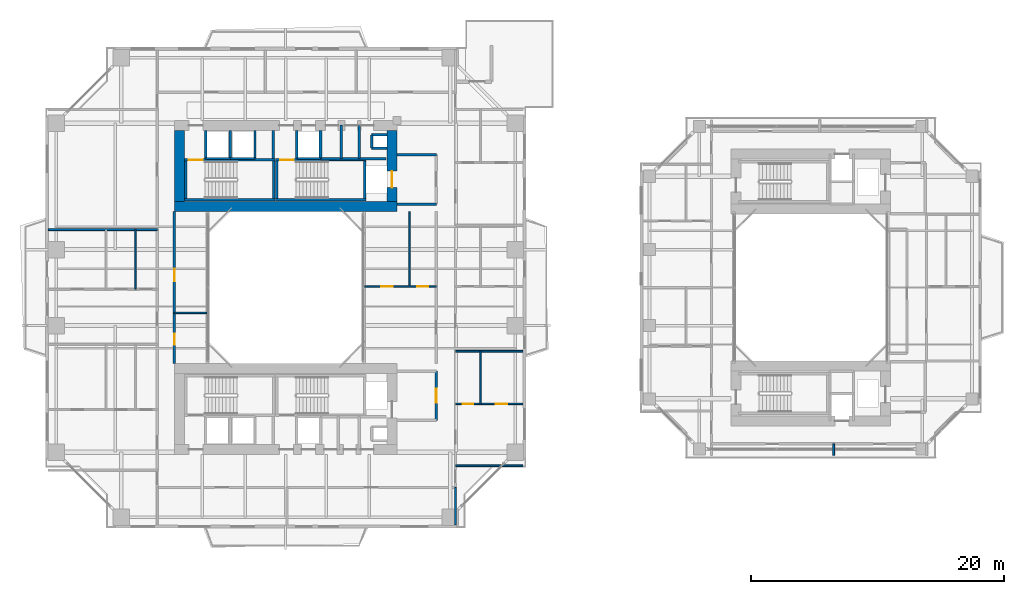
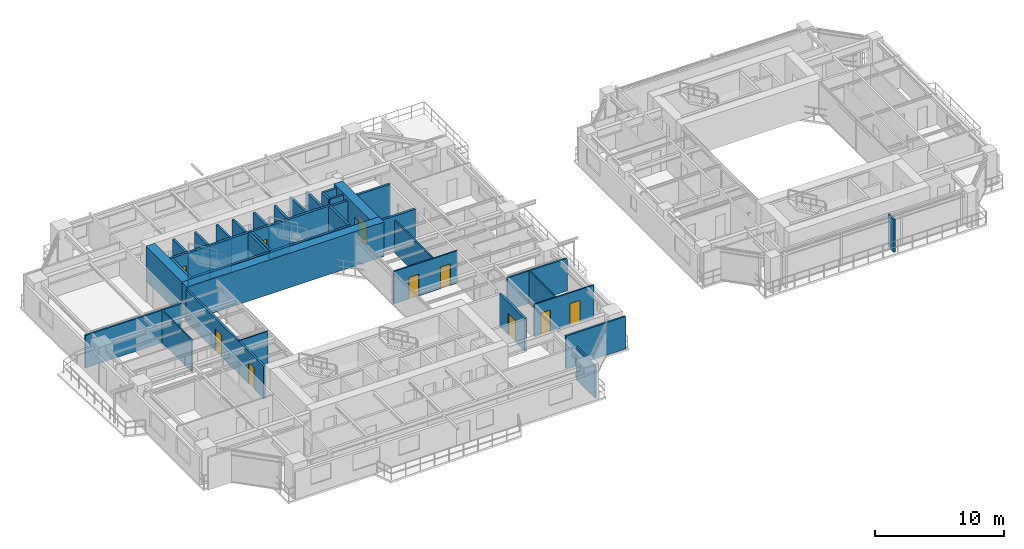
# One storey, part 14 of 23: 41 walls, 10 doors, 10 openings.
"""IFC4 building model written with IfcOpenShell, lengths in metres."""

from ifc_helpers import new_model, si_unit, direction, frame, frame_2d, origin, place, context, subcontext, project, spatial, rectangle, extrude, source, transform, mapped, material, layer, layer_set, type_object, element, fill, save


model = new_model("IFC4")

# Units and contexts
model_context = context("Model", 3, precision=1e-05, world=origin(), true_north=direction((0.0, 1.0)))
body_context = subcontext(model_context, "Body", "Model", "MODEL_VIEW")
ifc_project = project(units=[si_unit("LENGTHUNIT", "METRE"), si_unit("AREAUNIT", "SQUARE_METRE"), si_unit("VOLUMEUNIT", "CUBIC_METRE"), si_unit("PLANEANGLEUNIT", "RADIAN"), si_unit("MASSUNIT", "GRAM", prefix="KILO"), si_unit("THERMODYNAMICTEMPERATUREUNIT", "KELVIN"), si_unit("POWERUNIT", "WATT")], contexts=[model_context])

# Site, building, storey
site_placement = place(None, origin())
site = spatial("IfcSite", under=ifc_project, at=site_placement, CompositionType="ELEMENT")
building_placement = place(site_placement, origin())
building = spatial("IfcBuilding", under=site, at=building_placement, Name="Qiaomeng Ring Towers", CompositionType="ELEMENT")
storey_placement = place(building_placement, frame((0.0, 0.0, 32.75)))
storey = spatial("IfcBuildingStorey", under=building, at=storey_placement, Name="L08", CompositionType="ELEMENT", Elevation=32.75)

# Walls
ifc_material_1 = material(Name="Autoclaved aerated concrete block", Category="concrete")
ifc_layer_1 = layer(ifc_material_1, 0.199951171875, Name="Autoclaved aerated concrete block")
ifc_layer_set_1 = layer_set([ifc_layer_1], Name="Autoclaved aerated concrete block")
wall_type_1 = type_object("IfcWallType", Name="ARC-WL-PW1", PredefinedType="PARTITIONING", material=ifc_layer_set_1)
for number, where, z_axis, x_axis, name in (
    (1, (27.800048828125, 29.60009765625, 0.0), (0.0, 0.0, 1.0), (1.0, 0.0, 0.0), "L08 Interior Wall PW1"),
    (2, (27.800048828125, 33.5, 0.0), (0.0, 0.0, 1.0), (1.0, 0.0, 0.0), "L08 Interior Wall PW1"),
):
    element("IfcWall", number, at=place(storey_placement, frame(where, z_axis=z_axis, x_axis=x_axis)), inside=storey, type_object=wall_type_1, Name=name, PredefinedType="PARTITIONING", context=body_context, shape_type="SweptSolid", body=[
        extrude(rectangle(XDim=3.099853515625, YDim=0.199951171875, at=frame_2d((1.5498046875, 0.0))), origin(), (0.0, 0.0, 1.0), 3.070068359375),
    ])

# Wall, opening, door
wall_1_placement = place(storey_placement, frame((30.89990234375, 12.5, 0.0), z_axis=(0.0, 0.0, 1.0), x_axis=(0.0, 1.0, 0.0)))
wall_1 = element("IfcWall", 3, at=wall_1_placement, inside=storey, type_object=wall_type_1, Name="L08 Interior Wall PW1", PredefinedType="PARTITIONING", context=body_context, shape_type="SweptSolid", body=[
    extrude(rectangle(XDim=3.89990234375, YDim=0.199951171875, at=frame_2d((1.949951171875, 0.0))), origin(), (0.0, 0.0, 1.0), 3.070068359375),
])
opening_1_placement = place(wall_1_placement, frame((1.39990234375, 0.0, 0.0)))
opening_1 = element("IfcOpeningElement", 4, at=opening_1_placement, cuts=wall_1, Name="Opening FD3", PredefinedType="OPENING", context=body_context, shape_type="SweptSolid", body=[
    extrude(rectangle(XDim=1.10009765625, YDim=2.050048828125, at=frame_2d((0.550048828125, 1.02490234375))), frame((0.0, 0.10986328125, 0.0), z_axis=(0.0, -1.0, 0.0), x_axis=(1.0, 0.0, 0.0)), (0.0, 0.0, 1.0), 0.219970703125),
])
ifc_material_2 = material(Name="Galvanised steel", Category="steel")
door_type_1 = type_object("IfcDoorType", Name="ARC-DR-FD3", OperationType="NOTDEFINED", PredefinedType="DOOR", material=ifc_material_2)
shared_shape_1 = source(origin(), body_context, "Body", "SweptSolid", [
    extrude(rectangle(XDim=1.10009765625, YDim=2.050048828125, at=frame_2d((0.550048828125, 1.02490234375))), frame((0.0, 0.02490234375, 0.0), z_axis=(0.0, -1.0, 0.0), x_axis=(1.0, 0.0, 0.0)), (0.0, 0.0, 1.0), 0.050048828125),
])
door_1_placement = place(opening_1_placement, origin())
door_1 = element("IfcDoor", 5, at=door_1_placement, inside=storey, type_object=door_type_1, Name="L08 South FF Lobby Door", OperationType="SINGLE_SWING_LEFT", OverallHeight=2.050048828125, OverallWidth=1.10009765625, PredefinedType="DOOR", context=body_context, shape_type="MappedRepresentation", body=[
    mapped(shared_shape_1, transform((0.0, 0.0, 0.0), x_axis=(1.0, 0.0, 0.0), y_axis=(0.0, 1.0, 0.0), z_axis=(0.0, 0.0, 1.0), scale=1.0)),
])
fill(opening_1, door_1)

# Walls
for number, where, z_axis, x_axis, name in (
    (6, (12.679931640625, 33.18994140625, 0.0), (0.0, 0.0, 1.0), (0.0, 1.0, 0.0), "L08 Interior Wall PW1"),
    (7, (18.0, 33.18994140625, 0.0), (0.0, 0.0, 1.0), (0.0, 1.0, 0.0), "L08 Interior Wall PW1"),
    (8, (19.8798828125, 33.18994140625, 0.0), (0.0, 0.0, 1.0), (0.0, 1.0, 0.0), "L08 Interior Wall PW1"),
):
    element("IfcWall", number, at=place(storey_placement, frame(where, z_axis=z_axis, x_axis=x_axis)), inside=storey, type_object=wall_type_1, Name=name, PredefinedType="PARTITIONING", context=body_context, shape_type="SweptSolid", body=[
        extrude(rectangle(XDim=2.2099609375, YDim=0.199951171875, at=frame_2d((1.10498046875, 0.0))), origin(), (0.0, 0.0, 1.0), 3.070068359375),
    ])
wall_2_placement = place(storey_placement, frame((24.820068359375, 33.199951171875, 0.0), z_axis=(0.0, 0.0, 1.0), x_axis=(0.0, 1.0, 0.0)))
element("IfcWall", 9, at=wall_2_placement, inside=storey, type_object=wall_type_1, Name="L08 Interior Wall PW1", PredefinedType="PARTITIONING", context=body_context, shape_type="SweptSolid", body=[
    extrude(rectangle(XDim=2.650146484375, YDim=0.199951171875, at=frame_2d((1.3251953125, 0.0))), origin(), (0.0, 0.0, 1.0), 3.070068359375),
])
wall_3_placement = place(storey_placement, frame((21.75, 33.199951171875, 0.0), z_axis=(0.0, 0.0, 1.0), x_axis=(0.0, 1.0, 0.0)))
element("IfcWall", 10, at=wall_3_placement, inside=storey, type_object=wall_type_1, Name="L08 Interior Wall PW1", PredefinedType="PARTITIONING", context=body_context, shape_type="SweptSolid", body=[
    extrude(rectangle(XDim=2.199951171875, YDim=0.199951171875, at=frame_2d((1.10009765625, 0.0))), origin(), (0.0, 0.0, 1.0), 3.070068359375),
])
wall_4_placement = place(storey_placement, frame((23.39990234375, 33.199951171875, 0.0), z_axis=(0.0, 0.0, 1.0), x_axis=(0.0, 1.0, 0.0)))
element("IfcWall", 11, at=wall_4_placement, inside=storey, type_object=wall_type_1, Name="L08 Interior Wall PW1", PredefinedType="PARTITIONING", context=body_context, shape_type="SweptSolid", body=[
    extrude(rectangle(XDim=2.650146484375, YDim=0.199951171875, at=frame_2d((1.3251953125, 0.0))), origin(), (0.0, 0.0, 1.0), 3.070068359375),
])
wall_5_placement = place(storey_placement, frame((21.75, 33.199951171875, 0.0), z_axis=(0.0, 0.0, 1.0), x_axis=(1.0, 0.0, 0.0)))
element("IfcWall", 12, at=wall_5_placement, inside=storey, type_object=wall_type_1, Name="L08 Interior Wall PW1", PredefinedType="PARTITIONING", context=body_context, shape_type="SweptSolid", body=[
    extrude(rectangle(XDim=5.169921875, YDim=0.199951171875, at=frame_2d((2.5849609375, 0.0))), origin(), (0.0, 0.0, 1.0), 3.070068359375),
])

# Wall, openings, doors
ifc_layer_2 = layer(ifc_material_1, 0.179931640625, Name="Autoclaved aerated concrete block")
ifc_layer_set_2 = layer_set([ifc_layer_2], Name="Autoclaved aerated concrete block")
wall_type_2 = type_object("IfcWallType", Name="ARC-WL-PW2", PredefinedType="PARTITIONING", material=ifc_layer_set_2)
wall_6_placement = place(storey_placement, frame((10.199951171875, 17.0, 0.0), z_axis=(0.0, 0.0, 1.0), x_axis=(0.0, 1.0, 0.0)))
wall_6 = element("IfcWall", 13, at=wall_6_placement, inside=storey, type_object=wall_type_2, Name="L08 Interior Wall PW2", PredefinedType="PARTITIONING", context=body_context, shape_type="SweptSolid", body=[
    extrude(rectangle(XDim=12.0, YDim=0.179931640625, at=frame_2d((6.0, 0.0))), origin(), (0.0, 0.0, 1.0), 3.070068359375),
])
opening_2_placement = place(wall_6_placement, frame((1.5, 0.0, 0.0)))
opening_2 = element("IfcOpeningElement", 14, at=opening_2_placement, cuts=wall_6, Name="Opening ID2", PredefinedType="OPENING", context=body_context, shape_type="SweptSolid", body=[
    extrude(rectangle(XDim=0.85009765625, YDim=2.050048828125, at=frame_2d((0.425048828125, 1.02490234375))), frame((0.0, 0.099853515625, 0.0), z_axis=(0.0, -1.0, 0.0), x_axis=(1.0, 0.0, 0.0)), (0.0, 0.0, 1.0), 0.199951171875),
])
opening_3_placement = place(wall_6_placement, frame((6.5, 0.0, 0.0)))
opening_3 = element("IfcOpeningElement", 15, at=opening_3_placement, cuts=wall_6, Name="Opening FD4", PredefinedType="OPENING", context=body_context, shape_type="SweptSolid", body=[
    extrude(rectangle(XDim=1.0, YDim=2.050048828125, at=frame_2d((0.5, 1.02490234375))), frame((0.0, 0.099853515625, 0.0), z_axis=(0.0, -1.0, 0.0), x_axis=(1.0, 0.0, 0.0)), (0.0, 0.0, 1.0), 0.199951171875),
])
ifc_material_3 = material(Name="Engineered fire-rated oak timber", Category="wood")
door_type_2 = type_object("IfcDoorType", Name="ARC-DR-FD4", OperationType="NOTDEFINED", PredefinedType="DOOR", material=ifc_material_3)
shared_shape_2 = source(origin(), body_context, "Body", "SweptSolid", [
    extrude(rectangle(XDim=1.0, YDim=2.050048828125, at=frame_2d((0.5, 1.02490234375))), frame((0.0, 0.02490234375, 0.0), z_axis=(0.0, -1.0, 0.0), x_axis=(1.0, 0.0, 0.0)), (0.0, 0.0, 1.0), 0.050048828125),
])
door_2_placement = place(opening_3_placement, origin())
door_2 = element("IfcDoor", 16, at=door_2_placement, inside=storey, type_object=door_type_2, Name="L08 Door FD4", OperationType="SINGLE_SWING_LEFT", OverallHeight=2.050048828125, OverallWidth=1.0, PredefinedType="DOOR", context=body_context, shape_type="MappedRepresentation", body=[
    mapped(shared_shape_2, transform((0.0, 0.0, 0.0), x_axis=(1.0, 0.0, 0.0), y_axis=(0.0, 1.0, 0.0), z_axis=(0.0, 0.0, 1.0), scale=1.0)),
])
fill(opening_3, door_2)
ifc_material_4 = material(Name="Moisture-resistant engineered timber", Category="wood")
door_type_3 = type_object("IfcDoorType", Name="ARC-DR-ID2", OperationType="NOTDEFINED", PredefinedType="DOOR", material=ifc_material_4)
shared_shape_3 = source(origin(), body_context, "Body", "SweptSolid", [
    extrude(rectangle(XDim=0.85009765625, YDim=2.050048828125, at=frame_2d((0.425048828125, 1.02490234375))), frame((0.0, 0.02490234375, 0.0), z_axis=(0.0, -1.0, 0.0), x_axis=(1.0, 0.0, 0.0)), (0.0, 0.0, 1.0), 0.050048828125),
])
door_3_placement = place(opening_2_placement, origin())
door_3 = element("IfcDoor", 17, at=door_3_placement, inside=storey, type_object=door_type_3, Name="L08 Door ID2", OperationType="SINGLE_SWING_RIGHT", OverallHeight=2.050048828125, OverallWidth=0.85009765625, PredefinedType="DOOR", context=body_context, shape_type="MappedRepresentation", body=[
    mapped(shared_shape_3, transform((0.0, 0.0, 0.0), x_axis=(1.0, 0.0, 0.0), y_axis=(0.0, 1.0, 0.0), z_axis=(0.0, 0.0, 1.0), scale=1.0)),
])
fill(opening_2, door_3)

# Walls
ifc_material_5 = material(Name="Gypsum fireboard steel-stud partition", Category="steel")
ifc_layer_3 = layer(ifc_material_5, 0.14990234375, Name="Gypsum fireboard steel-stud partition")
ifc_layer_set_3 = layer_set([ifc_layer_3], Name="Gypsum fireboard steel-stud partition")
wall_type_3 = type_object("IfcWallType", Name="ARC-WL-PW3", PredefinedType="PARTITIONING", material=ifc_layer_set_3)
wall_7_placement = place(storey_placement, frame((32.419921875, 4.25, 0.0), z_axis=(0.0, 0.0, 1.0), x_axis=(0.0, 1.0, 0.0)))
element("IfcWall", 18, at=wall_7_placement, inside=storey, type_object=wall_type_3, Name="L08 Interior Wall PW3", PredefinedType="PARTITIONING", context=body_context, shape_type="SweptSolid", body=[
    extrude(rectangle(XDim=2.9599609375, YDim=0.14990234375, at=frame_2d((1.47998046875, 0.0))), origin(), (0.0, 0.0, 1.0), 3.070068359375),
])
wall_8_placement = place(storey_placement, frame((0.25, 27.580078125, 0.0), z_axis=(0.0, 0.0, 1.0), x_axis=(1.0, 0.0, 0.0)))
element("IfcWall", 19, at=wall_8_placement, inside=storey, type_object=wall_type_3, Name="L08 Interior Wall PW3", PredefinedType="PARTITIONING", context=body_context, shape_type="SweptSolid", body=[
    extrude(rectangle(XDim=8.60009765625, YDim=0.14990234375, at=frame_2d((4.300048828125, 0.0))), origin(), (0.0, 0.0, 1.0), 3.070068359375),
])
for number, where, z_axis, x_axis, name in (
    (20, (32.419921875, 8.919921875, 0.0), (0.0, 0.0, 1.0), (1.0, 0.0, 0.0), "L08 Interior Wall PW3"),
    (21, (32.419921875, 17.969970703125, 0.0), (0.0, 0.0, 1.0), (1.0, 0.0, 0.0), "L08 Interior Wall PW3"),
):
    element("IfcWall", number, at=place(storey_placement, frame(where, z_axis=z_axis, x_axis=x_axis)), inside=storey, type_object=wall_type_3, Name=name, PredefinedType="PARTITIONING", context=body_context, shape_type="SweptSolid", body=[
        extrude(rectangle(XDim=5.330078125, YDim=0.14990234375, at=frame_2d((2.6650390625, 0.0))), origin(), (0.0, 0.0, 1.0), 3.070068359375),
    ])
wall_9_placement = place(storey_placement, frame((62.300048828125, 9.75, 0.0), z_axis=(0.0, 0.0, 1.0), x_axis=(0.0, 1.0, 0.0)))
element("IfcWall", 22, at=wall_9_placement, inside=storey, type_object=wall_type_3, Name="L08 Interior Wall PW3", PredefinedType="PARTITIONING", context=body_context, shape_type="SweptSolid", body=[
    extrude(rectangle(XDim=0.89990234375, YDim=0.14990234375, at=frame_2d((0.449951171875, 0.0))), origin(), (0.0, 0.0, 1.0), 3.070068359375),
])
ifc_material_6 = material(Name="Moisture-resistant gypsum steel-stud partition", Category="steel")
ifc_layer_4 = layer(ifc_material_6, 0.1201171875, Name="Moisture-resistant gypsum steel-stud partition")
ifc_layer_set_4 = layer_set([ifc_layer_4], Name="Moisture-resistant gypsum steel-stud partition")
wall_type_4 = type_object("IfcWallType", Name="ARC-WL-PW4", PredefinedType="PLUMBINGWALL", material=ifc_layer_set_4)
wall_10_placement = place(storey_placement, frame((7.1298828125, 22.8701171875, 0.0), z_axis=(0.0, 0.0, 1.0), x_axis=(0.0, 1.0, 0.0)))
element("IfcWall", 23, at=wall_10_placement, inside=storey, type_object=wall_type_4, Name="L08 Interior Wall PW4", PredefinedType="PLUMBINGWALL", context=body_context, shape_type="SweptSolid", body=[
    extrude(rectangle(XDim=4.7099609375, YDim=0.1201171875, at=frame_2d((2.35498046875, 0.0))), origin(), (0.0, 0.0, 1.0), 3.070068359375),
])
wall_11_placement = place(storey_placement, frame((10.199951171875, 21.0, 0.0), z_axis=(0.0, 0.0, 1.0), x_axis=(1.0, 0.0, 0.0)))
element("IfcWall", 24, at=wall_11_placement, inside=storey, type_object=wall_type_4, Name="L08 Interior Wall PW4", PredefinedType="PLUMBINGWALL", context=body_context, shape_type="SweptSolid", body=[
    extrude(rectangle(XDim=2.580078125, YDim=0.1201171875, at=frame_2d((1.2900390625, 0.0))), origin(), (0.0, 0.0, 1.0), 3.070068359375),
])

# Wall, openings, doors
wall_12_placement = place(storey_placement, frame((32.419921875, 13.81005859375, 0.0), z_axis=(0.0, 0.0, 1.0), x_axis=(1.0, 0.0, 0.0)))
wall_12 = element("IfcWall", 25, at=wall_12_placement, inside=storey, type_object=wall_type_4, Name="L08 Interior Wall PW4", PredefinedType="PLUMBINGWALL", context=body_context, shape_type="SweptSolid", body=[
    extrude(rectangle(XDim=5.330078125, YDim=0.1201171875, at=frame_2d((2.6650390625, 0.0))), origin(), (0.0, 0.0, 1.0), 3.070068359375),
])
opening_4_placement = place(wall_12_placement, frame((0.570068359375, 0.0, 0.0)))
opening_4 = element("IfcOpeningElement", 26, at=opening_4_placement, cuts=wall_12, Name="Opening ID2", PredefinedType="OPENING", context=body_context, shape_type="SweptSolid", body=[
    extrude(rectangle(XDim=0.85009765625, YDim=2.050048828125, at=frame_2d((0.425048828125, 1.02490234375))), frame((0.0, 0.070068359375, 0.0), z_axis=(0.0, -1.0, 0.0), x_axis=(1.0, 0.0, 0.0)), (0.0, 0.0, 1.0), 0.14013671875),
])
opening_5_placement = place(wall_12_placement, frame((3.18994140625, 0.0, 0.0)))
opening_5 = element("IfcOpeningElement", 27, at=opening_5_placement, cuts=wall_12, Name="Opening ID1", PredefinedType="OPENING", context=body_context, shape_type="SweptSolid", body=[
    extrude(rectangle(XDim=0.89990234375, YDim=2.050048828125, at=frame_2d((0.449951171875, 1.02490234375))), frame((0.0, 0.070068359375, 0.0), z_axis=(0.0, -1.0, 0.0), x_axis=(1.0, 0.0, 0.0)), (0.0, 0.0, 1.0), 0.14013671875),
])
door_4_placement = place(opening_4_placement, origin())
door_4 = element("IfcDoor", 28, at=door_4_placement, inside=storey, type_object=door_type_3, Name="L08 Door ID2", OperationType="SINGLE_SWING_RIGHT", OverallHeight=2.050048828125, OverallWidth=0.85009765625, PredefinedType="DOOR", context=body_context, shape_type="MappedRepresentation", body=[
    mapped(shared_shape_3, transform((0.0, 0.0, 0.0), x_axis=(1.0, 0.0, 0.0), y_axis=(0.0, 1.0, 0.0), z_axis=(0.0, 0.0, 1.0), scale=1.0)),
])
fill(opening_4, door_4)
ifc_material_7 = material(Name="Engineered oak timber", Category="wood")
door_type_4 = type_object("IfcDoorType", Name="ARC-DR-ID1", OperationType="NOTDEFINED", PredefinedType="DOOR", material=ifc_material_7)
shared_shape_4 = source(origin(), body_context, "Body", "SweptSolid", [
    extrude(rectangle(XDim=0.89990234375, YDim=2.050048828125, at=frame_2d((0.449951171875, 1.02490234375))), frame((0.0, 0.02490234375, 0.0), z_axis=(0.0, -1.0, 0.0), x_axis=(1.0, 0.0, 0.0)), (0.0, 0.0, 1.0), 0.050048828125),
])
door_5_placement = place(opening_5_placement, origin())
door_5 = element("IfcDoor", 29, at=door_5_placement, inside=storey, type_object=door_type_4, Name="L08 Door ID1", OperationType="SINGLE_SWING_LEFT", OverallHeight=2.050048828125, OverallWidth=0.89990234375, PredefinedType="DOOR", context=body_context, shape_type="MappedRepresentation", body=[
    mapped(shared_shape_4, transform((0.0, 0.0, 0.0), x_axis=(1.0, 0.0, 0.0), y_axis=(0.0, 1.0, 0.0), z_axis=(0.0, 0.0, 1.0), scale=1.0)),
])
fill(opening_5, door_5)

# Wall
wall_13_placement = place(storey_placement, frame((34.389892578125, 13.81005859375, 0.0), z_axis=(0.0, 0.0, 1.0), x_axis=(0.0, 1.0, 0.0)))
element("IfcWall", 30, at=wall_13_placement, inside=storey, type_object=wall_type_4, Name="L08 Interior Wall PW4", PredefinedType="PLUMBINGWALL", context=body_context, shape_type="SweptSolid", body=[
    extrude(rectangle(XDim=4.159912109375, YDim=0.1201171875, at=frame_2d((2.080078125, 0.0))), origin(), (0.0, 0.0, 1.0), 3.070068359375),
])

# Wall, openings, doors
wall_14_placement = place(storey_placement, frame((25.219970703125, 23.10009765625, 0.0), z_axis=(0.0, 0.0, 1.0), x_axis=(1.0, 0.0, 0.0)))
wall_14 = element("IfcWall", 31, at=wall_14_placement, inside=storey, type_object=wall_type_4, Name="L08 Interior Wall PW4", PredefinedType="PLUMBINGWALL", context=body_context, shape_type="SweptSolid", body=[
    extrude(rectangle(XDim=5.679931640625, YDim=0.1201171875, at=frame_2d((2.83984375, 0.0))), origin(), (0.0, 0.0, 1.0), 3.070068359375),
])
opening_6_placement = place(wall_14_placement, frame((1.35009765625, 0.0, 0.0)))
opening_6 = element("IfcOpeningElement", 32, at=opening_6_placement, cuts=wall_14, Name="Opening ID1", PredefinedType="OPENING", context=body_context, shape_type="SweptSolid", body=[
    extrude(rectangle(XDim=0.89990234375, YDim=2.050048828125, at=frame_2d((0.449951171875, 1.02490234375))), frame((0.0, 0.070068359375, 0.0), z_axis=(0.0, -1.0, 0.0), x_axis=(1.0, 0.0, 0.0)), (0.0, 0.0, 1.0), 0.14013671875),
])
opening_7_placement = place(wall_14_placement, frame((4.195068359375, 0.0, 0.0)))
opening_7 = element("IfcOpeningElement", 33, at=opening_7_placement, cuts=wall_14, Name="Opening ID2", PredefinedType="OPENING", context=body_context, shape_type="SweptSolid", body=[
    extrude(rectangle(XDim=0.85009765625, YDim=2.050048828125, at=frame_2d((0.425048828125, 1.02490234375))), frame((0.0, 0.070068359375, 0.0), z_axis=(0.0, -1.0, 0.0), x_axis=(1.0, 0.0, 0.0)), (0.0, 0.0, 1.0), 0.14013671875),
])
door_6_placement = place(opening_7_placement, origin())
door_6 = element("IfcDoor", 34, at=door_6_placement, inside=storey, type_object=door_type_3, Name="L08 Door ID2", OperationType="SINGLE_SWING_RIGHT", OverallHeight=2.050048828125, OverallWidth=0.85009765625, PredefinedType="DOOR", context=body_context, shape_type="MappedRepresentation", body=[
    mapped(shared_shape_3, transform((0.0, 0.0, 0.0), x_axis=(1.0, 0.0, 0.0), y_axis=(0.0, 1.0, 0.0), z_axis=(0.0, 0.0, 1.0), scale=1.0)),
])
fill(opening_7, door_6)
door_7_placement = place(opening_6_placement, origin())
door_7 = element("IfcDoor", 35, at=door_7_placement, inside=storey, type_object=door_type_4, Name="L08 Door ID1", OperationType="SINGLE_SWING_LEFT", OverallHeight=2.050048828125, OverallWidth=0.89990234375, PredefinedType="DOOR", context=body_context, shape_type="MappedRepresentation", body=[
    mapped(shared_shape_4, transform((0.0, 0.0, 0.0), x_axis=(1.0, 0.0, 0.0), y_axis=(0.0, 1.0, 0.0), z_axis=(0.0, 0.0, 1.0), scale=1.0)),
])
fill(opening_6, door_7)

# Walls
wall_15_placement = place(storey_placement, frame((28.800048828125, 23.10009765625, 0.0), z_axis=(0.0, 0.0, 1.0), x_axis=(0.0, 1.0, 0.0)))
element("IfcWall", 36, at=wall_15_placement, inside=storey, type_object=wall_type_4, Name="L08 Interior Wall PW4", PredefinedType="PLUMBINGWALL", context=body_context, shape_type="SweptSolid", body=[
    extrude(rectangle(XDim=5.89990234375, YDim=0.1201171875, at=frame_2d((2.949951171875, 0.0))), origin(), (0.0, 0.0, 1.0), 3.070068359375),
])
ifc_material_8 = material(Name="Concrete C40", Category="concrete")
ifc_layer_5 = layer(ifc_material_8, 0.199951171875, Name="Concrete C40")
ifc_layer_set_5 = layer_set([ifc_layer_5], Name="Concrete C40")
wall_type_5 = type_object("IfcWallType", Name="STR-WL-STSHAFT", PredefinedType="SHEAR", material=ifc_layer_set_5)
wall_16_placement = place(storey_placement, frame((12.679931640625, 33.199951171875, 0.0), z_axis=(0.0, 0.0, 1.0), x_axis=(1.0, 0.0, 0.0)))
element("IfcWall", 37, at=wall_16_placement, inside=storey, type_object=wall_type_5, Name="L08 Lift LP5 Shaft Back Wall", PredefinedType="SHEAR", context=body_context, shape_type="SweptSolid", body=[
    extrude(rectangle(XDim=1.940185546875, YDim=0.179931640625, at=frame_2d((0.97021484375, 0.0))), origin(), (0.0, 0.0, 1.0), 3.070068359375),
])
wall_17_placement = place(storey_placement, frame((14.6201171875, 33.199951171875, 0.0), z_axis=(0.0, 0.0, 1.0), x_axis=(0.0, 1.0, 0.0)))
element("IfcWall", 38, at=wall_17_placement, inside=storey, type_object=wall_type_5, Name="L08 Lift LP5-LP3 Shaft Divider Wall", PredefinedType="SHEAR", context=body_context, shape_type="SweptSolid", body=[
    extrude(rectangle(XDim=2.199951171875, YDim=0.179931640625, at=frame_2d((1.10009765625, 0.0))), origin(), (0.0, 0.0, 1.0), 3.070068359375),
])
wall_18_placement = place(storey_placement, frame((25.800048828125, 34.02001953125, 0.0), z_axis=(0.0, 0.0, 1.0), x_axis=(0.0, 1.0, 0.0)))
element("IfcWall", 39, at=wall_18_placement, inside=storey, type_object=wall_type_5, Name="L08 Riser RSR1 West Shaft Wall N", PredefinedType="SHEAR", context=body_context, shape_type="SweptSolid", body=[
    extrude(rectangle(XDim=1.06005859375, YDim=0.179931640625, at=frame_2d((0.530029296875, 0.0))), origin(), (0.0, 0.0, 1.0), 3.070068359375),
])
for number, where, z_axis, x_axis, name in (
    (40, (25.800048828125, 35.080078125, 0.0), (0.0, 0.0, 1.0), (1.0, 0.0, 0.0), "L08 Riser RSR1 North Shaft Wall N"),
    (41, (25.800048828125, 34.02001953125, 0.0), (0.0, 0.0, 1.0), (1.0, 0.0, 0.0), "L08 Riser RSR1 South Shaft Wall N"),
):
    element("IfcWall", number, at=place(storey_placement, frame(where, z_axis=z_axis, x_axis=x_axis)), inside=storey, type_object=wall_type_5, Name=name, PredefinedType="SHEAR", context=body_context, shape_type="SweptSolid", body=[
        extrude(rectangle(XDim=1.199951171875, YDim=0.179931640625, at=frame_2d((0.60009765625, 0.0))), origin(), (0.0, 0.0, 1.0), 3.070068359375),
    ])
wall_19_placement = place(storey_placement, frame((14.6201171875, 33.199951171875, 0.0), z_axis=(0.0, 0.0, 1.0), x_axis=(1.0, 0.0, 0.0)))
element("IfcWall", 42, at=wall_19_placement, inside=storey, type_object=wall_type_5, Name="L08 Lift LP3 Shaft Back Wall", PredefinedType="SHEAR", context=body_context, shape_type="SweptSolid", body=[
    extrude(rectangle(XDim=1.9599609375, YDim=0.179931640625, at=frame_2d((0.97998046875, 0.0))), origin(), (0.0, 0.0, 1.0), 3.070068359375),
])
wall_20_placement = place(storey_placement, frame((16.580078125, 33.199951171875, 0.0), z_axis=(0.0, 0.0, 1.0), x_axis=(0.0, 1.0, 0.0)))
element("IfcWall", 43, at=wall_20_placement, inside=storey, type_object=wall_type_5, Name="L08 Lift LP3 East Shaft Wall", PredefinedType="SHEAR", context=body_context, shape_type="SweptSolid", body=[
    extrude(rectangle(XDim=2.199951171875, YDim=0.179931640625, at=frame_2d((1.10009765625, 0.0))), origin(), (0.0, 0.0, 1.0), 3.070068359375),
])
wall_21_placement = place(storey_placement, frame((19.8798828125, 33.199951171875, 0.0), z_axis=(0.0, 0.0, 1.0), x_axis=(1.0, 0.0, 0.0)))
element("IfcWall", 44, at=wall_21_placement, inside=storey, type_object=wall_type_5, Name="L08 Lift LP1 Shaft Back Wall", PredefinedType="SHEAR", context=body_context, shape_type="SweptSolid", body=[
    extrude(rectangle(XDim=1.8701171875, YDim=0.179931640625, at=frame_2d((0.93505859375, 0.0))), origin(), (0.0, 0.0, 1.0), 3.070068359375),
])
wall_22_placement = place(storey_placement, frame((11.0, 29.949951171875, 0.0), z_axis=(0.0, 0.0, 1.0), x_axis=(1.0, 0.0, 0.0)))
element("IfcWall", 45, at=wall_22_placement, inside=storey, type_object=wall_type_5, Name="L08 Stair ST1 South Shaft Shear Wall", PredefinedType="SHEAR", context=body_context, shape_type="SweptSolid", body=[
    extrude(rectangle(XDim=7.14990234375, YDim=0.199951171875, at=frame_2d((3.574951171875, 0.0))), origin(), (0.0, 0.0, 1.0), 3.25),
])

# Wall, opening, door
wall_23_placement = place(storey_placement, frame((11.0, 33.090087890625, 0.0), z_axis=(0.0, 0.0, 1.0), x_axis=(1.0, 0.0, 0.0)))
wall_23 = element("IfcWall", 46, at=wall_23_placement, inside=storey, type_object=wall_type_5, Name="L08 Stair ST1 North Shaft Shear Wall", PredefinedType="SHEAR", context=body_context, shape_type="SweptSolid", body=[
    extrude(rectangle(XDim=7.14990234375, YDim=0.199951171875, at=frame_2d((3.574951171875, 0.0))), origin(), (0.0, 0.0, 1.0), 3.25),
])
opening_8_placement = place(wall_23_placement, frame((0.35009765625, 0.0, 0.0)))
opening_8 = element("IfcOpeningElement", 47, at=opening_8_placement, cuts=wall_23, Name="Opening FD3", PredefinedType="OPENING", context=body_context, shape_type="SweptSolid", body=[
    extrude(rectangle(XDim=1.10009765625, YDim=2.050048828125, at=frame_2d((0.550048828125, 1.02490234375))), frame((0.0, 0.10986328125, 0.0), z_axis=(0.0, -1.0, 0.0), x_axis=(1.0, 0.0, 0.0)), (0.0, 0.0, 1.0), 0.219970703125),
])
door_8_placement = place(opening_8_placement, origin())
door_8 = element("IfcDoor", 48, at=door_8_placement, inside=storey, type_object=door_type_1, Name="L08 Stair ST1 Exit Door", OperationType="SINGLE_SWING_LEFT", OverallHeight=2.050048828125, OverallWidth=1.10009765625, PredefinedType="DOOR", context=body_context, shape_type="MappedRepresentation", body=[
    mapped(shared_shape_1, transform((0.0, 0.0, 0.0), x_axis=(1.0, 0.0, 0.0), y_axis=(0.0, 1.0, 0.0), z_axis=(0.0, 0.0, 1.0), scale=1.0)),
])
fill(opening_8, door_8)

# Walls
for number, where, z_axis, x_axis, name in (
    (49, (11.10009765625, 30.050048828125, 0.0), (0.0, 0.0, 1.0), (0.0, 1.0, 0.0), "L08 Stair ST1 West Shaft Shear Wall"),
    (50, (18.050048828125, 30.050048828125, 0.0), (0.0, 0.0, 1.0), (0.0, 1.0, 0.0), "L08 Stair ST1 East Shaft Shear Wall"),
):
    element("IfcWall", number, at=place(storey_placement, frame(where, z_axis=z_axis, x_axis=x_axis)), inside=storey, type_object=wall_type_5, Name=name, PredefinedType="SHEAR", context=body_context, shape_type="SweptSolid", body=[
        extrude(rectangle(XDim=2.93994140625, YDim=0.199951171875, at=frame_2d((1.469970703125, 0.0))), origin(), (0.0, 0.0, 1.0), 3.25),
    ])
wall_24_placement = place(storey_placement, frame((18.199951171875, 29.949951171875, 0.0), z_axis=(0.0, 0.0, 1.0), x_axis=(1.0, 0.0, 0.0)))
element("IfcWall", 51, at=wall_24_placement, inside=storey, type_object=wall_type_5, Name="L08 Stair ST2 South Shaft Shear Wall", PredefinedType="SHEAR", context=body_context, shape_type="SweptSolid", body=[
    extrude(rectangle(XDim=7.150146484375, YDim=0.199951171875, at=frame_2d((3.5751953125, 0.0))), origin(), (0.0, 0.0, 1.0), 3.25),
])

# Wall, opening, door
wall_25_placement = place(storey_placement, frame((18.199951171875, 33.090087890625, 0.0), z_axis=(0.0, 0.0, 1.0), x_axis=(1.0, 0.0, 0.0)))
wall_25 = element("IfcWall", 52, at=wall_25_placement, inside=storey, type_object=wall_type_5, Name="L08 Stair ST2 North Shaft Shear Wall", PredefinedType="SHEAR", context=body_context, shape_type="SweptSolid", body=[
    extrude(rectangle(XDim=7.150146484375, YDim=0.199951171875, at=frame_2d((3.5751953125, 0.0))), origin(), (0.0, 0.0, 1.0), 3.25),
])
opening_9_placement = place(wall_25_placement, frame((0.35009765625, 0.0, 0.0)))
opening_9 = element("IfcOpeningElement", 53, at=opening_9_placement, cuts=wall_25, Name="Opening FD3", PredefinedType="OPENING", context=body_context, shape_type="SweptSolid", body=[
    extrude(rectangle(XDim=1.10009765625, YDim=2.050048828125, at=frame_2d((0.550048828125, 1.02490234375))), frame((0.0, 0.10986328125, 0.0), z_axis=(0.0, -1.0, 0.0), x_axis=(1.0, 0.0, 0.0)), (0.0, 0.0, 1.0), 0.219970703125),
])
door_9_placement = place(opening_9_placement, origin())
door_9 = element("IfcDoor", 54, at=door_9_placement, inside=storey, type_object=door_type_1, Name="L08 Stair ST2 Exit Door", OperationType="SINGLE_SWING_LEFT", OverallHeight=2.050048828125, OverallWidth=1.10009765625, PredefinedType="DOOR", context=body_context, shape_type="MappedRepresentation", body=[
    mapped(shared_shape_1, transform((0.0, 0.0, 0.0), x_axis=(1.0, 0.0, 0.0), y_axis=(0.0, 1.0, 0.0), z_axis=(0.0, 0.0, 1.0), scale=1.0)),
])
fill(opening_9, door_9)

# Walls
for number, where, z_axis, x_axis, name in (
    (55, (18.300048828125, 30.050048828125, 0.0), (0.0, 0.0, 1.0), (0.0, 1.0, 0.0), "L08 Stair ST2 West Shaft Shear Wall"),
    (56, (25.25, 30.050048828125, 0.0), (0.0, 0.0, 1.0), (0.0, 1.0, 0.0), "L08 Stair ST2 East Shaft Shear Wall"),
):
    element("IfcWall", number, at=place(storey_placement, frame(where, z_axis=z_axis, x_axis=x_axis)), inside=storey, type_object=wall_type_5, Name=name, PredefinedType="SHEAR", context=body_context, shape_type="SweptSolid", body=[
        extrude(rectangle(XDim=2.93994140625, YDim=0.199951171875, at=frame_2d((1.469970703125, 0.0))), origin(), (0.0, 0.0, 1.0), 3.25),
    ])
ifc_material_9 = material(Name="Concrete C60", Category="concrete")
ifc_layer_6 = layer(ifc_material_9, 0.800048828125, Name="Concrete C60")
ifc_layer_set_6 = layer_set([ifc_layer_6], Name="Concrete C60")
wall_type_6 = type_object("IfcWallType", Name="STR-WL-SW1", PredefinedType="SHEAR", material=ifc_layer_set_6)
wall_26_placement = place(storey_placement, frame((10.199951171875, 29.39990234375, 0.0), z_axis=(0.0, 0.0, 1.0), x_axis=(1.0, 0.0, 0.0)))
element("IfcWall", 57, at=wall_26_placement, inside=storey, type_object=wall_type_6, Name="L08 T1NC south core shear wall", PredefinedType="SHEAR", context=body_context, shape_type="SweptSolid", body=[
    extrude(rectangle(XDim=17.60009765625, YDim=0.800048828125, at=frame_2d((8.800048828125, 0.0))), origin(), (0.0, 0.0, 1.0), 3.25),
])
wall_27_placement = place(storey_placement, frame((10.60009765625, 29.800048828125, 0.0), z_axis=(0.0, 0.0, 1.0), x_axis=(0.0, 1.0, 0.0)))
element("IfcWall", 58, at=wall_27_placement, inside=storey, type_object=wall_type_6, Name="L08 T1NC west core shear wall", PredefinedType="SHEAR", context=body_context, shape_type="SweptSolid", body=[
    extrude(rectangle(XDim=5.599853515625, YDim=0.800048828125, at=frame_2d((2.7998046875, 0.0))), origin(), (0.0, 0.0, 1.0), 3.25),
])

# Wall, opening, door
wall_28_placement = place(storey_placement, frame((27.39990234375, 29.800048828125, 0.0), z_axis=(0.0, 0.0, 1.0), x_axis=(0.0, 1.0, 0.0)))
wall_28 = element("IfcWall", 59, at=wall_28_placement, inside=storey, type_object=wall_type_6, Name="L08 T1NC east core shear wall", PredefinedType="SHEAR", context=body_context, shape_type="SweptSolid", body=[
    extrude(rectangle(XDim=5.599853515625, YDim=0.800048828125, at=frame_2d((2.7998046875, 0.0))), origin(), (0.0, 0.0, 1.0), 3.25),
])
opening_10_placement = place(wall_28_placement, frame((1.10009765625, 0.0, 0.0)))
opening_10 = element("IfcOpeningElement", 60, at=opening_10_placement, cuts=wall_28, Name="Opening LD2", PredefinedType="OPENING", context=body_context, shape_type="SweptSolid", body=[
    extrude(rectangle(XDim=1.300048828125, YDim=2.050048828125, at=frame_2d((0.64990234375, 1.02490234375))), frame((0.0, 0.409912109375, 0.0), z_axis=(0.0, -1.0, 0.0), x_axis=(1.0, 0.0, 0.0)), (0.0, 0.0, 1.0), 0.820068359375),
])
ifc_material_10 = material(Name="Stainless steel 316", Category="steel")
door_type_5 = type_object("IfcDoorType", Name="ARC-DR-LD2", OperationType="NOTDEFINED", PredefinedType="DOOR", material=ifc_material_10)
shared_shape_5 = source(origin(), body_context, "Body", "SweptSolid", [
    extrude(rectangle(XDim=1.300048828125, YDim=2.050048828125, at=frame_2d((0.64990234375, 1.02490234375))), frame((0.0, 0.02490234375, 0.0), z_axis=(0.0, -1.0, 0.0), x_axis=(1.0, 0.0, 0.0)), (0.0, 0.0, 1.0), 0.050048828125),
])
door_10_placement = place(opening_10_placement, origin())
door_10 = element("IfcDoor", 61, at=door_10_placement, inside=storey, type_object=door_type_5, Name="L08 Firefighting Lift FL1 Landing Door", OperationType="SLIDING_TO_LEFT", OverallHeight=2.050048828125, OverallWidth=1.300048828125, PredefinedType="DOOR", context=body_context, shape_type="MappedRepresentation", body=[
    mapped(shared_shape_5, transform((0.0, 0.0, 0.0), x_axis=(1.0, 0.0, 0.0), y_axis=(0.0, 1.0, 0.0), z_axis=(0.0, 0.0, 1.0), scale=1.0)),
])
fill(opening_10, door_10)

save(model, "model.ifc")
